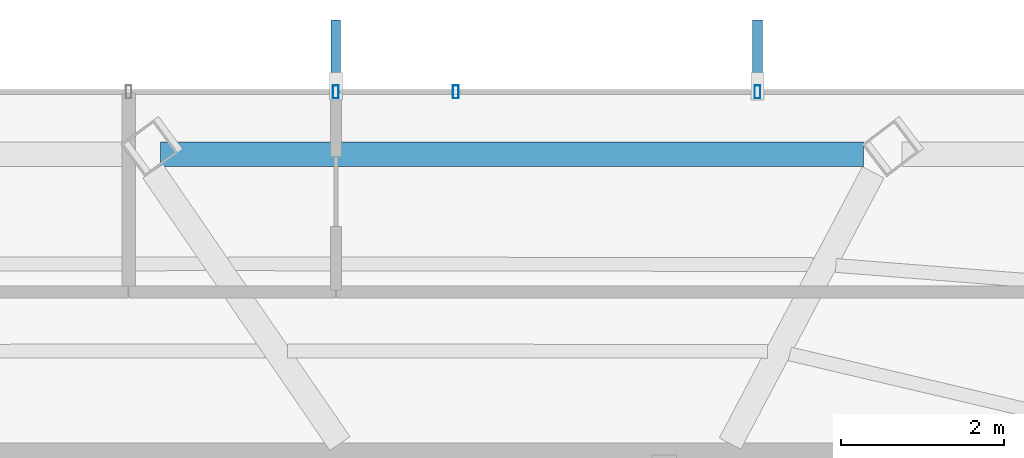
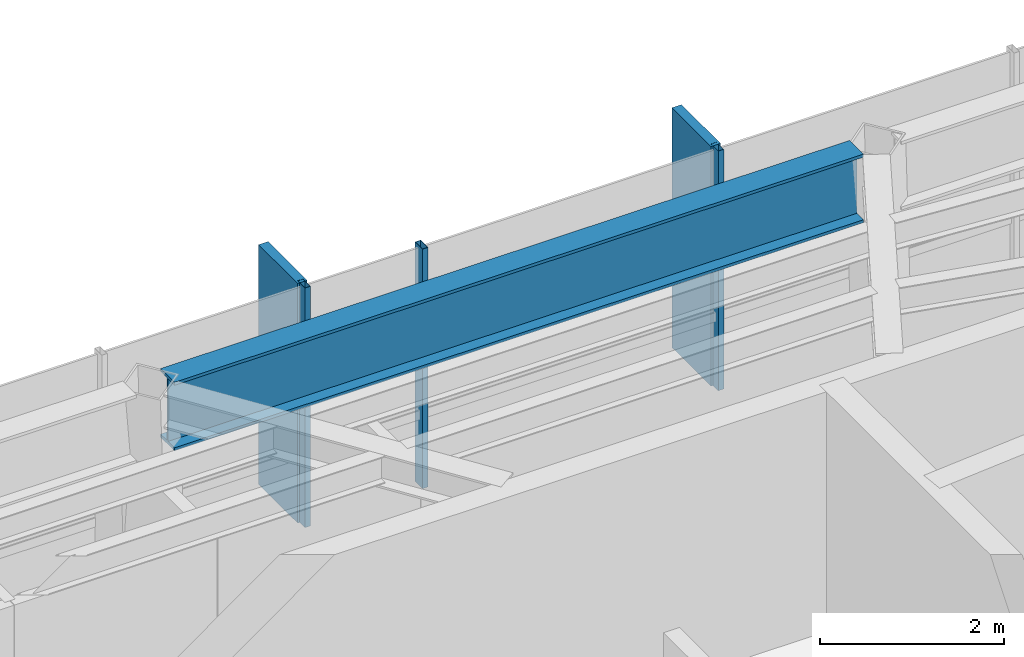
# One storey, part 15 of 26: 5 members, 1 beam, 1 element without a shape of its own.
"""IFC4 building model written with IfcOpenShell, lengths in metres."""

from ifc_helpers import new_model, si_unit, direction, frame, origin, origin_2d, place, context, subcontext, project, spatial, rectangle, hollow_rectangle, i_section, extrude, material, layer, layer_set, material_profile, profile_set, type_object, element, aggregate, save


model = new_model("IFC4")

# Units and contexts
model_context = context("Model", 3, precision=1e-05, world=origin(), true_north=direction((0.0, 1.0)))
body_context = subcontext(model_context, "Body", "Model", "MODEL_VIEW")
ifc_project = project(units=[si_unit("LENGTHUNIT", "METRE"), si_unit("AREAUNIT", "SQUARE_METRE"), si_unit("VOLUMEUNIT", "CUBIC_METRE"), si_unit("PLANEANGLEUNIT", "RADIAN"), si_unit("MASSUNIT", "GRAM", prefix="KILO")], contexts=[model_context])

# Site, building, storey
site_placement = place(None, origin())
site = spatial("IfcSite", under=ifc_project, at=site_placement, CompositionType="ELEMENT")
building_placement = place(site_placement, origin())
building = spatial("IfcBuilding", under=site, at=building_placement, Name="Zarrinselat Tower", CompositionType="ELEMENT")
storey_placement = place(building_placement, frame((0.0, 0.0, 265.199951171875)))
storey = spatial("IfcBuildingStorey", under=building, at=storey_placement, Name="L67", CompositionType="ELEMENT", Elevation=265.199951171875)

# Beam
ifc_material_1 = material(Name="Steel S460M", Category="steel")
ifc_material_profile_1 = material_profile(ifc_material_1, i_section(OverallWidth=0.302001953125, OverallDepth=0.909912109375, WebThickness=0.02099609375, FlangeThickness=0.0400390625, at=origin_2d()), Name="HEM 900")
ifc_profile_set_1 = profile_set([ifc_material_profile_1], Name="Steel S460M")
beam_type = type_object("IfcBeamType", Name="BM-HEM900", PredefinedType="BEAM", material=ifc_profile_set_1)
beam_placement = place(storey_placement, frame((38.79345703125, 47.10009765625, 2.72509765625), z_axis=(1.0, 0.0, 0.0), x_axis=(0.0, 1.0, 0.0)))
element("IfcBeam", 1, at=beam_placement, inside=storey, type_object=beam_type, Name="L67 Perimeter Spandrel Girder SP02", PredefinedType="BEAM", context=body_context, shape_type="SweptSolid", body=[
    extrude(i_section(OverallWidth=0.302001953125, OverallDepth=0.909912109375, WebThickness=0.02099609375, FlangeThickness=0.0400390625, at=origin_2d()), origin(), (0.0, 0.0, 1.0), 8.64794921875),
])

# Curtain wall, members
ifc_material_2 = material(Name="Extruded Aluminium Alloy EN AW-6063 T6", Category="aluminium")
ifc_layer = layer(ifc_material_2, 0.169921875)
ifc_layer_set = layer_set([ifc_layer], Name="Extruded Aluminium Alloy EN AW-6063 T6")
curtain_wall_type = type_object("IfcCurtainWallType", Name="CWS-RES", PredefinedType="NOTDEFINED", material=ifc_layer_set)
curtain_wall_placement = place(storey_placement, origin())
curtain_wall = element("IfcCurtainWall", 2, at=curtain_wall_placement, inside=storey, type_object=curtain_wall_type, Name="L67 Unitised Curtain Wall CW-L67-E01", PredefinedType="NOTDEFINED")
ifc_material_3 = material(Name="Extruded Aluminium Alloy EN AW-6063 T6", Category="aluminium")
ifc_material_profile_2 = material_profile(ifc_material_3, hollow_rectangle(XDim=0.070068359375, YDim=0.159912109375, WallThickness=0.00390625, at=origin_2d()), Name="RHS 160x70x4")
ifc_profile_set_2 = profile_set([ifc_material_profile_2], Name="Extruded Aluminium Alloy EN AW-6063 T6")
member_type_1 = type_object("IfcMemberType", Name="MEM-CW-MUL2", PredefinedType="MULLION", material=ifc_profile_set_2)
member_1_placement = place(storey_placement, frame((46.13818359375, 47.86669921875, 0.0), z_axis=(0.0, 0.0, 1.0), x_axis=(-1.0, 0.0, 0.0)))
member_1 = element("IfcMember", 3, at=member_1_placement, type_object=member_type_1, Name="CW-L67-E01 Mullion 3", PredefinedType="MULLION", context=body_context, shape_type="SweptSolid", body=[
    extrude(hollow_rectangle(XDim=0.070068359375, YDim=0.159912109375, WallThickness=0.00390625, at=origin_2d()), origin(), (0.0, 0.0, 1.0), 3.179931640625),
])
member_2_placement = place(storey_placement, frame((42.426025390625, 47.86669921875, 0.0), z_axis=(0.0, 0.0, 1.0), x_axis=(-1.0, 0.0, 0.0)))
member_2 = element("IfcMember", 4, at=member_2_placement, type_object=member_type_1, Name="CW-L67-E01 Mullion 4", PredefinedType="MULLION", context=body_context, shape_type="SweptSolid", body=[
    extrude(hollow_rectangle(XDim=0.070068359375, YDim=0.159912109375, WallThickness=0.00390625, at=origin_2d()), origin(), (0.0, 0.0, 1.0), 3.179931640625),
])
member_3_placement = place(storey_placement, frame((40.949951171875, 47.86669921875, 0.0), z_axis=(0.0, 0.0, 1.0), x_axis=(-1.0, 0.0, 0.0)))
member_3 = element("IfcMember", 5, at=member_3_placement, type_object=member_type_1, Name="CW-L67-E01 Mullion 5", PredefinedType="MULLION", context=body_context, shape_type="SweptSolid", body=[
    extrude(hollow_rectangle(XDim=0.070068359375, YDim=0.159912109375, WallThickness=0.00390625, at=origin_2d()), origin(), (0.0, 0.0, 1.0), 3.179931640625),
])
ifc_material_4 = material(Name="Honed Cream Travertine Stone", Category="masonry")
ifc_material_profile_3 = material_profile(ifc_material_4, rectangle(XDim=0.1201171875, YDim=0.85009765625, at=origin_2d()), Name="FIN 850x120")
ifc_profile_set_3 = profile_set([ifc_material_profile_3], Name="Honed Cream Travertine Stone")
member_type_2 = type_object("IfcMemberType", Name="MEM-STONE-FIN", PredefinedType="USERDEFINED", material=ifc_profile_set_3)
member_4_placement = place(storey_placement, frame((46.13818359375, 48.32666015625, 0.0), z_axis=(0.0, 0.0, 1.0), x_axis=(1.0, 0.0, 0.0)))
member_4 = element("IfcMember", 6, at=member_4_placement, type_object=member_type_2, Name="L67 Stone Shading Fin CW-L67-E01-03", ObjectType="FIN", PredefinedType="USERDEFINED", context=body_context, shape_type="SweptSolid", body=[
    extrude(rectangle(XDim=0.1201171875, YDim=0.85009765625, at=origin_2d()), origin(), (0.0, 0.0, 1.0), 3.179931640625),
])
member_5_placement = place(storey_placement, frame((40.949951171875, 48.32666015625, 0.0), z_axis=(0.0, 0.0, 1.0), x_axis=(1.0, 0.0, 0.0)))
member_5 = element("IfcMember", 7, at=member_5_placement, type_object=member_type_2, Name="L67 Stone Shading Fin CW-L67-E01-05", ObjectType="FIN", PredefinedType="USERDEFINED", context=body_context, shape_type="SweptSolid", body=[
    extrude(rectangle(XDim=0.1201171875, YDim=0.85009765625, at=origin_2d()), origin(), (0.0, 0.0, 1.0), 3.179931640625),
])
aggregate(curtain_wall, [member_1, member_4, member_2, member_3, member_5])

save(model, "model.ifc")
